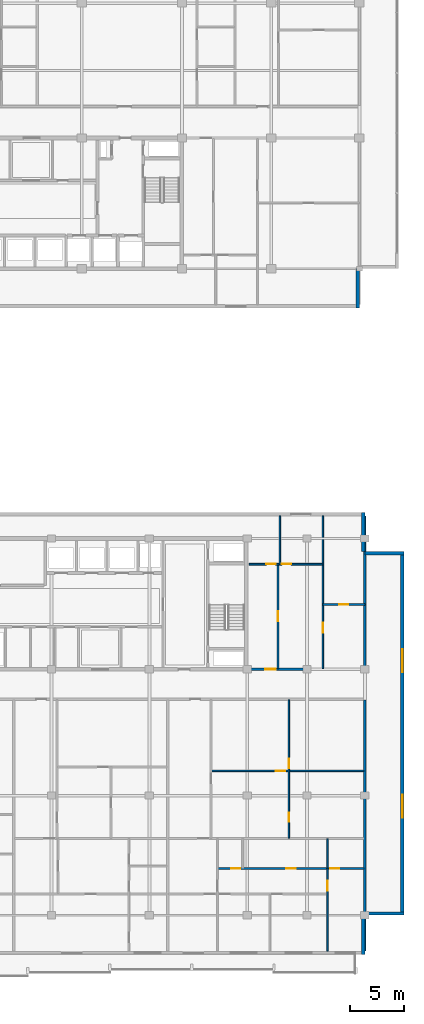
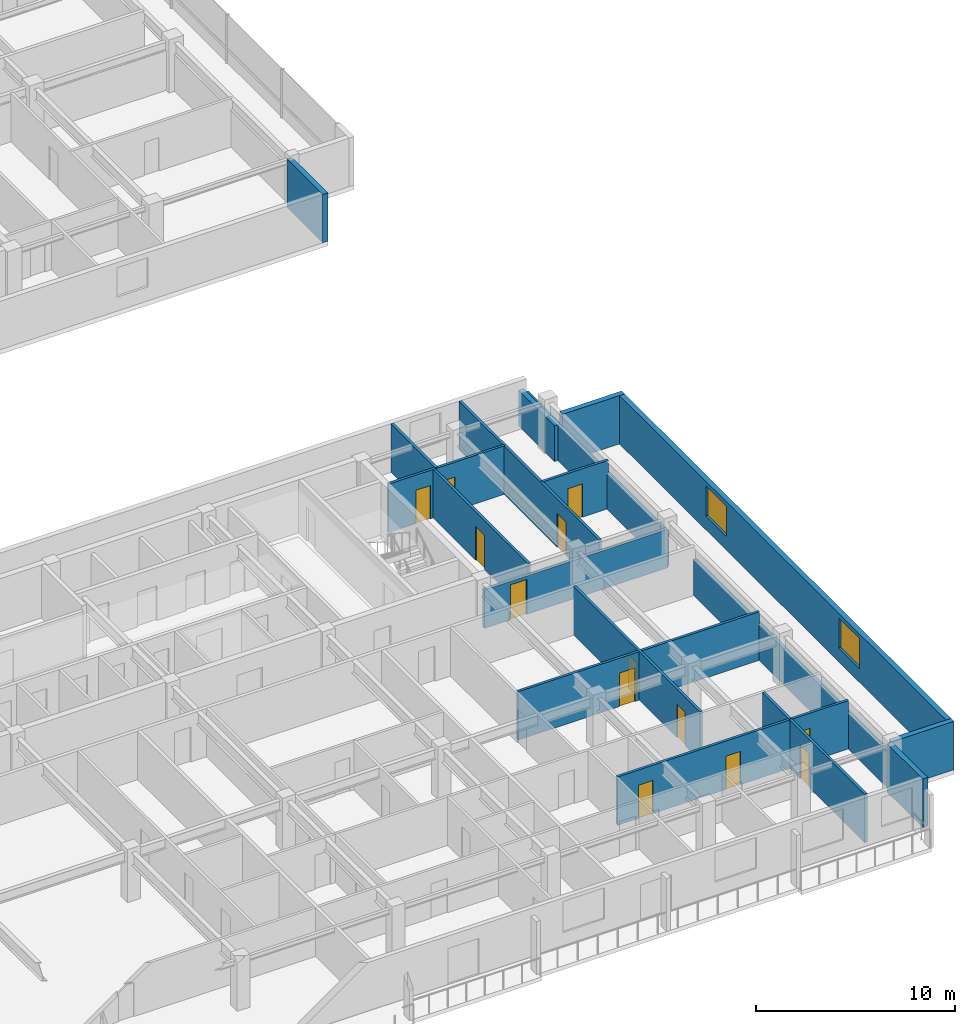
# One storey, part 21 of 32: 19 walls, 13 doors, 2 windows, 15 openings.
"""IFC4 building model written with IfcOpenShell, lengths in metres."""

from ifc_helpers import new_model, si_unit, direction, frame, frame_2d, origin, place, context, subcontext, project, spatial, rectangle, extrude, material, layer, layer_set, type_object, element, fill, save


model = new_model("IFC4")

# Units and contexts
model_context = context("Model", 3, precision=1e-05, world=origin(), true_north=direction((0.0, 1.0)))
body_context = subcontext(model_context, "Body", "Model", "MODEL_VIEW")
ifc_project = project(units=[si_unit("LENGTHUNIT", "METRE"), si_unit("AREAUNIT", "SQUARE_METRE"), si_unit("VOLUMEUNIT", "CUBIC_METRE"), si_unit("PLANEANGLEUNIT", "RADIAN"), si_unit("MASSUNIT", "GRAM", prefix="KILO")], contexts=[model_context])

# Site, building, storey
site_placement = place(None, origin())
site = spatial("IfcSite", under=ifc_project, at=site_placement, CompositionType="ELEMENT")
building_placement = place(site_placement, origin())
building = spatial("IfcBuilding", under=site, at=building_placement, Name="Korimba Cascade Residences", CompositionType="ELEMENT")
storey_placement = place(building_placement, frame((0.0, 0.0, 178.35009765625)))
storey = spatial("IfcBuildingStorey", under=building, at=storey_placement, Name="L51", CompositionType="ELEMENT", Elevation=178.35009765625)

# Walls
ifc_material_1 = material(Name="Precast concrete C40/50", Category="concrete")
ifc_layer_1 = layer(ifc_material_1, 0.300048828125)
ifc_layer_set_1 = layer_set([ifc_layer_1], Name="Precast concrete C40/50")
wall_type_1 = type_object("IfcWallType", Name="EW-STONE-300", PredefinedType="STANDARD", material=ifc_layer_set_1)
wall_1_placement = place(storey_placement, frame((128.25, 51.60009765625, 0.0), z_axis=(0.0, 0.0, 1.0), x_axis=(0.0, 1.0, 0.0)))
element("IfcWall", 1, at=wall_1_placement, inside=storey, type_object=wall_type_1, Name="L51 T1 Perimeter Stone Wall E01", PredefinedType="STANDARD", context=body_context, shape_type="SweptSolid", body=[
    extrude(rectangle(XDim=3.599853515625, YDim=0.300048828125, at=frame_2d((1.7998046875, 0.0))), origin(), (0.0, 0.0, 1.0), 2.969970703125),
])
for number, where, z_axis, x_axis, name in (
    (2, (128.75, -7.800048828125, 0.0), (0.0, 0.0, 1.0), (0.0, 1.0, 0.0), "L51 T2 Perimeter Stone Wall E01"),
    (3, (128.89990234375, -4.050048828125, 0.0), (0.0, 0.0, 1.0), (1.0, 0.0, 0.0), "L51 T2 Perimeter Stone Wall E02"),
):
    element("IfcWall", number, at=place(storey_placement, frame(where, z_axis=z_axis, x_axis=x_axis)), inside=storey, type_object=wall_type_1, Name=name, PredefinedType="STANDARD", context=body_context, shape_type="SweptSolid", body=[
        extrude(rectangle(XDim=3.60009765625, YDim=0.300048828125, at=frame_2d((1.800048828125, 0.0))), origin(), (0.0, 0.0, 1.0), 2.969970703125),
    ])

# Wall, openings, windows
wall_2_placement = place(storey_placement, frame((132.35009765625, -4.199951171875, 0.0), z_axis=(0.0, 0.0, 1.0), x_axis=(0.0, 1.0, 0.0)))
wall_2 = element("IfcWall", 4, at=wall_2_placement, inside=storey, type_object=wall_type_1, Name="L51 T2 Perimeter Stone Wall E03", PredefinedType="STANDARD", context=body_context, shape_type="SweptSolid", body=[
    extrude(rectangle(XDim=33.39990234375, YDim=0.300048828125, at=frame_2d((16.699951171875, 0.0))), origin(), (0.0, 0.0, 1.0), 2.969970703125),
])
opening_1_placement = place(wall_2_placement, frame((8.969970703125, 0.0, 0.85009765625)))
opening_1 = element("IfcOpeningElement", 5, at=opening_1_placement, cuts=wall_2, Name="Opening W-03", PredefinedType="OPENING", context=body_context, shape_type="SweptSolid", body=[
    extrude(rectangle(XDim=2.10009765625, YDim=1.85009765625, at=frame_2d((1.050048828125, 0.925048828125))), frame((0.0, 0.16015625, 0.0), z_axis=(0.0, -1.0, 0.0), x_axis=(1.0, 0.0, 0.0)), (0.0, 0.0, 1.0), 0.320068359375),
])
opening_2_placement = place(wall_2_placement, frame((22.330078125, 0.0, 0.85009765625)))
opening_2 = element("IfcOpeningElement", 6, at=opening_2_placement, cuts=wall_2, Name="Opening W-03", PredefinedType="OPENING", context=body_context, shape_type="SweptSolid", body=[
    extrude(rectangle(XDim=2.10009765625, YDim=1.85009765625, at=frame_2d((1.050048828125, 0.925048828125))), frame((0.0, 0.16015625, 0.0), z_axis=(0.0, -1.0, 0.0), x_axis=(1.0, 0.0, 0.0)), (0.0, 0.0, 1.0), 0.320068359375),
])
ifc_material_2 = material(Name="Double-Glazed Aluminium Window", Category="aluminium")
window_type = type_object("IfcWindowType", Name="WIN-CRN-2100", PartitioningType="DOUBLE_PANEL_HORIZONTAL", PredefinedType="WINDOW", material=ifc_material_2)
window_1_placement = place(opening_1_placement, origin())
window_1 = element("IfcWindow", 7, at=window_1_placement, inside=storey, type_object=window_type, Name="L51 T2 End View Window 3.1", OverallHeight=1.85009765625, OverallWidth=2.10009765625, PartitioningType="DOUBLE_PANEL_HORIZONTAL", PredefinedType="WINDOW", context=body_context, shape_type="SweptSolid", body=[
    extrude(rectangle(XDim=2.10009765625, YDim=1.85009765625, at=frame_2d((1.050048828125, 0.925048828125))), frame((0.0, 0.030029296875, 0.0), z_axis=(0.0, -1.0, 0.0), x_axis=(1.0, 0.0, 0.0)), (0.0, 0.0, 1.0), 0.06005859375),
])
fill(opening_1, window_1)
window_2_placement = place(opening_2_placement, origin())
window_2 = element("IfcWindow", 8, at=window_2_placement, inside=storey, type_object=window_type, Name="L51 T2 End View Window 3.2", OverallHeight=1.85009765625, OverallWidth=2.10009765625, PartitioningType="DOUBLE_PANEL_HORIZONTAL", PredefinedType="WINDOW", context=body_context, shape_type="SweptSolid", body=[
    extrude(rectangle(XDim=2.10009765625, YDim=1.85009765625, at=frame_2d((1.050048828125, 0.925048828125))), frame((0.0, 0.030029296875, 0.0), z_axis=(0.0, -1.0, 0.0), x_axis=(1.0, 0.0, 0.0)), (0.0, 0.0, 1.0), 0.06005859375),
])
fill(opening_2, window_2)

# Walls
wall_3_placement = place(storey_placement, frame((132.5, 29.050048828125, 0.0), z_axis=(0.0, 0.0, 1.0), x_axis=(-1.0, 0.0, 0.0)))
element("IfcWall", 9, at=wall_3_placement, inside=storey, type_object=wall_type_1, Name="L51 T2 Perimeter Stone Wall E04", PredefinedType="STANDARD", context=body_context, shape_type="SweptSolid", body=[
    extrude(rectangle(XDim=3.60009765625, YDim=0.300048828125, at=frame_2d((1.800048828125, 0.0))), origin(), (0.0, 0.0, 1.0), 2.969970703125),
])
wall_4_placement = place(storey_placement, frame((128.75, 29.199951171875, 0.0), z_axis=(0.0, 0.0, 1.0), x_axis=(0.0, 1.0, 0.0)))
element("IfcWall", 10, at=wall_4_placement, inside=storey, type_object=wall_type_1, Name="L51 T2 Perimeter Stone Wall E05", PredefinedType="STANDARD", context=body_context, shape_type="SweptSolid", body=[
    extrude(rectangle(XDim=3.60009765625, YDim=0.300048828125, at=frame_2d((1.800048828125, 0.0))), origin(), (0.0, 0.0, 1.0), 2.2001953125),
])
ifc_layer_2 = layer(ifc_material_1, 0.199951171875)
ifc_layer_set_2 = layer_set([ifc_layer_2], Name="Precast concrete C40/50")
wall_type_2 = type_object("IfcWallType", Name="WAL-IT-200", PredefinedType="PARTITIONING", material=ifc_layer_set_2)
wall_5_placement = place(storey_placement, frame((128.89990234375, 18.39990234375, 0.0), z_axis=(0.0, 0.0, 1.0), x_axis=(0.0, 1.0, 0.0)))
element("IfcWall", 11, at=wall_5_placement, inside=storey, type_object=wall_type_2, Name="L51 Partition Wall WAL-L51-T2-FE-WR", PredefinedType="PARTITIONING", context=body_context, shape_type="SweptSolid", body=[
    extrude(rectangle(XDim=14.10009765625, YDim=0.199951171875, at=frame_2d((7.050048828125, 0.0))), origin(), (0.0, 0.0, 1.0), 2.2001953125),
])

# Wall, opening, door
wall_6_placement = place(storey_placement, frame((118.25, 18.39990234375, 0.0), z_axis=(0.0, 0.0, 1.0), x_axis=(1.0, 0.0, 0.0)))
wall_6 = element("IfcWall", 12, at=wall_6_placement, inside=storey, type_object=wall_type_2, Name="L51 Partition Wall WAL-L51-T2-FE-S", PredefinedType="PARTITIONING", context=body_context, shape_type="SweptSolid", body=[
    extrude(rectangle(XDim=10.64990234375, YDim=0.199951171875, at=frame_2d((5.324951171875, 0.0))), origin(), (0.0, 0.0, 1.0), 2.357666015625),
])
opening_3_placement = place(wall_6_placement, frame((1.510009765625, 0.0, 0.0)))
opening_3 = element("IfcOpeningElement", 13, at=opening_3_placement, cuts=wall_6, Name="Opening D-UN1", PredefinedType="OPENING", context=body_context, shape_type="SweptSolid", body=[
    extrude(rectangle(XDim=0.949951171875, YDim=2.14990234375, at=frame_2d((0.47509765625, 1.074951171875))), frame((0.0, 0.10986328125, 0.0), z_axis=(0.0, -1.0, 0.0), x_axis=(1.0, 0.0, 0.0)), (0.0, 0.0, 1.0), 0.219970703125),
])
ifc_material_3 = material(Name="Fire-Rated Hardwood Apartment Entrance Door", Category="wood")
door_type_1 = type_object("IfcDoorType", Name="DR-FD60-950", OperationType="NOTDEFINED", PredefinedType="DOOR", material=ifc_material_3)
door_1_placement = place(opening_3_placement, origin())
door_1 = element("IfcDoor", 14, at=door_1_placement, inside=storey, type_object=door_type_1, Name="L51-T2-FE Entrance Door", OperationType="SINGLE_SWING_RIGHT", OverallHeight=2.14990234375, OverallWidth=0.949951171875, PredefinedType="DOOR", context=body_context, shape_type="SweptSolid", body=[
    extrude(rectangle(XDim=0.949951171875, YDim=2.14990234375, at=frame_2d((0.47509765625, 1.074951171875))), frame((0.0, 0.02490234375, 0.0), z_axis=(0.0, -1.0, 0.0), x_axis=(1.0, 0.0, 0.0)), (0.0, 0.0, 1.0), 0.050048828125),
])
fill(opening_3, door_1)

# Wall
wall_7_placement = place(storey_placement, frame((128.89990234375, -7.5, 0.0), z_axis=(0.0, 0.0, 1.0), x_axis=(0.0, 1.0, 0.0)))
element("IfcWall", 15, at=wall_7_placement, inside=storey, type_object=wall_type_2, Name="L51 Partition Wall WAL-L51-T2-BNDWR", PredefinedType="PARTITIONING", context=body_context, shape_type="SweptSolid", body=[
    extrude(rectangle(XDim=23.070068359375, YDim=0.199951171875, at=frame_2d((11.53515625, 0.0))), origin(), (0.0, 0.0, 1.0), 2.2001953125),
])

# Wall, opening, door
ifc_material_4 = material(Name="Insulated Acoustic Stud Partition", Category="gypsum")
ifc_layer_3 = layer(ifc_material_4, 0.14990234375)
ifc_layer_set_3 = layer_set([ifc_layer_3], Name="Insulated Acoustic Stud Partition")
wall_type_3 = type_object("IfcWallType", Name="WAL-PART-150", PredefinedType="PARTITIONING", material=ifc_layer_set_3)
wall_8_placement = place(storey_placement, frame((125.050048828125, 24.35009765625, 0.0), z_axis=(0.0, 0.0, 1.0), x_axis=(1.0, 0.0, 0.0)))
wall_8 = element("IfcWall", 16, at=wall_8_placement, inside=storey, type_object=wall_type_3, Name="L51 Partition Wall WAL-L51-T2-FE-STH", PredefinedType="PARTITIONING", context=body_context, shape_type="SweptSolid", body=[
    extrude(rectangle(XDim=3.849853515625, YDim=0.14990234375, at=frame_2d((1.9248046875, 0.0))), origin(), (0.0, 0.0, 1.0), 2.969970703125),
])
opening_4_placement = place(wall_8_placement, frame((1.5048828125, 0.0, 0.0)))
opening_4 = element("IfcOpeningElement", 17, at=opening_4_placement, cuts=wall_8, Name="Opening D-BT1", PredefinedType="OPENING", context=body_context, shape_type="SweptSolid", body=[
    extrude(rectangle(XDim=0.840087890625, YDim=2.0400390625, at=frame_2d((0.419921875, 1.02001953125))), frame((0.0, 0.0849609375, 0.0), z_axis=(0.0, -1.0, 0.0), x_axis=(1.0, 0.0, 0.0)), (0.0, 0.0, 1.0), 0.169921875),
])
ifc_material_5 = material(Name="Moisture-Resistant Bathroom Timber Door", Category="wood")
door_type_2 = type_object("IfcDoorType", Name="DR-INT-850", OperationType="NOTDEFINED", PredefinedType="DOOR", material=ifc_material_5)
door_2_placement = place(opening_4_placement, origin())
door_2 = element("IfcDoor", 18, at=door_2_placement, inside=storey, type_object=door_type_2, Name="L51-T2-FE Dressing Store Door", OperationType="SINGLE_SWING_LEFT", OverallHeight=2.0400390625, OverallWidth=0.840087890625, PredefinedType="DOOR", context=body_context, shape_type="SweptSolid", body=[
    extrude(rectangle(XDim=0.840087890625, YDim=2.0400390625, at=frame_2d((0.419921875, 1.02001953125))), frame((0.0, 0.02490234375, 0.0), z_axis=(0.0, -1.0, 0.0), x_axis=(1.0, 0.0, 0.0)), (0.0, 0.0, 1.0), 0.050048828125),
])
fill(opening_4, door_2)

wall_9_placement = place(storey_placement, frame((125.050048828125, 18.449951171875, 0.0), z_axis=(0.0, 0.0, 1.0), x_axis=(0.0, 1.0, 0.0)))
wall_9 = element("IfcWall", 19, at=wall_9_placement, inside=storey, type_object=wall_type_3, Name="L51 Partition Wall WAL-L51-T2-FE-STV", PredefinedType="PARTITIONING", context=body_context, shape_type="SweptSolid", body=[
    extrude(rectangle(XDim=14.050048828125, YDim=0.14990234375, at=frame_2d((7.02490234375, 0.0))), origin(), (0.0, 0.0, 1.0), 2.969970703125),
])
opening_5_placement = place(wall_9_placement, frame((3.320068359375, 0.0, 0.0)))
opening_5 = element("IfcOpeningElement", 20, at=opening_5_placement, cuts=wall_9, Name="Opening D-IN2", PredefinedType="OPENING", context=body_context, shape_type="SweptSolid", body=[
    extrude(rectangle(XDim=0.8798828125, YDim=2.06005859375, at=frame_2d((0.43994140625, 1.030029296875))), frame((0.0, 0.0849609375, 0.0), z_axis=(0.0, -1.0, 0.0), x_axis=(1.0, 0.0, 0.0)), (0.0, 0.0, 1.0), 0.169921875),
])
ifc_material_6 = material(Name="Acoustic Timber Bedroom Door", Category="wood")
door_type_3 = type_object("IfcDoorType", Name="DR-INT-880", OperationType="NOTDEFINED", PredefinedType="DOOR", material=ifc_material_6)
door_3_placement = place(opening_5_placement, origin())
door_3 = element("IfcDoor", 21, at=door_3_placement, inside=storey, type_object=door_type_3, Name="L51-T2-FE Study Door", OperationType="SINGLE_SWING_RIGHT", OverallHeight=2.06005859375, OverallWidth=0.8798828125, PredefinedType="DOOR", context=body_context, shape_type="SweptSolid", body=[
    extrude(rectangle(XDim=0.8798828125, YDim=2.06005859375, at=frame_2d((0.43994140625, 1.030029296875))), frame((0.0, 0.02490234375, 0.0), z_axis=(0.0, -1.0, 0.0), x_axis=(1.0, 0.0, 0.0)), (0.0, 0.0, 1.0), 0.050048828125),
])
fill(opening_5, door_3)

wall_10_placement = place(storey_placement, frame((120.929931640625, 18.449951171875, 0.0), z_axis=(0.0, 0.0, 1.0), x_axis=(0.0, 1.0, 0.0)))
wall_10 = element("IfcWall", 22, at=wall_10_placement, inside=storey, type_object=wall_type_3, Name="L51 Partition Wall WAL-L51-T2-FE-VS", PredefinedType="PARTITIONING", context=body_context, shape_type="SweptSolid", body=[
    extrude(rectangle(XDim=9.60009765625, YDim=0.14990234375, at=frame_2d((4.800048828125, 0.0))), origin(), (0.0, 0.0, 1.0), 2.969970703125),
])
opening_6_placement = place(wall_10_placement, frame((4.340087890625, 0.0, 0.0)))
opening_6 = element("IfcOpeningElement", 23, at=opening_6_placement, cuts=wall_10, Name="Opening D-IN1", PredefinedType="OPENING", context=body_context, shape_type="SweptSolid", body=[
    extrude(rectangle(XDim=0.919921875, YDim=2.080078125, at=frame_2d((0.4599609375, 1.0400390625))), frame((0.0, 0.0849609375, 0.0), z_axis=(0.0, -1.0, 0.0), x_axis=(1.0, 0.0, 0.0)), (0.0, 0.0, 1.0), 0.169921875),
])
ifc_material_7 = material(Name="Acoustic Timber Living Door", Category="wood")
door_type_4 = type_object("IfcDoorType", Name="DR-INT-920", OperationType="NOTDEFINED", PredefinedType="DOOR", material=ifc_material_7)
door_4_placement = place(opening_6_placement, origin())
door_4 = element("IfcDoor", 24, at=door_4_placement, inside=storey, type_object=door_type_4, Name="L51-T2-FE Living Door", OperationType="SINGLE_SWING_LEFT", OverallHeight=2.080078125, OverallWidth=0.919921875, PredefinedType="DOOR", context=body_context, shape_type="SweptSolid", body=[
    extrude(rectangle(XDim=0.919921875, YDim=2.080078125, at=frame_2d((0.4599609375, 1.0400390625))), frame((0.0, 0.02490234375, 0.0), z_axis=(0.0, -1.0, 0.0), x_axis=(1.0, 0.0, 0.0)), (0.0, 0.0, 1.0), 0.050048828125),
])
fill(opening_6, door_4)

# Wall
wall_11_placement = place(storey_placement, frame((121.10009765625, 28.050048828125, 0.0), z_axis=(0.0, 0.0, 1.0), x_axis=(0.0, 1.0, 0.0)))
element("IfcWall", 25, at=wall_11_placement, inside=storey, type_object=wall_type_3, Name="L51 Partition Wall WAL-L51-T2-FE-VN", PredefinedType="PARTITIONING", context=body_context, shape_type="SweptSolid", body=[
    extrude(rectangle(XDim=4.449951171875, YDim=0.14990234375, at=frame_2d((2.22509765625, 0.0))), origin(), (0.0, 0.0, 1.0), 2.969970703125),
])

# Wall, openings, doors
wall_12_placement = place(storey_placement, frame((118.27001953125, 28.050048828125, 0.0), z_axis=(0.0, 0.0, 1.0), x_axis=(1.0, 0.0, 0.0)))
wall_12 = element("IfcWall", 26, at=wall_12_placement, inside=storey, type_object=wall_type_3, Name="L51 Partition Wall WAL-L51-T2-FE-H", PredefinedType="PARTITIONING", context=body_context, shape_type="SweptSolid", body=[
    extrude(rectangle(XDim=6.760009765625, YDim=0.14990234375, at=frame_2d((3.3798828125, 0.0))), origin(), (0.0, 0.0, 1.0), 2.969970703125),
])
opening_7_placement = place(wall_12_placement, frame((1.58740234375, 0.0, 0.0)))
opening_7 = element("IfcOpeningElement", 27, at=opening_7_placement, cuts=wall_12, Name="Opening D-BT1", PredefinedType="OPENING", context=body_context, shape_type="SweptSolid", body=[
    extrude(rectangle(XDim=0.840087890625, YDim=2.0400390625, at=frame_2d((0.419921875, 1.02001953125))), frame((0.0, 0.0849609375, 0.0), z_axis=(0.0, -1.0, 0.0), x_axis=(1.0, 0.0, 0.0)), (0.0, 0.0, 1.0), 0.169921875),
])
opening_8_placement = place(wall_12_placement, frame((2.988037109375, 0.0, 0.0)))
opening_8 = element("IfcOpeningElement", 28, at=opening_8_placement, cuts=wall_12, Name="Opening D-IN2", PredefinedType="OPENING", context=body_context, shape_type="SweptSolid", body=[
    extrude(rectangle(XDim=0.8798828125, YDim=2.06005859375, at=frame_2d((0.43994140625, 1.030029296875))), frame((0.0, 0.0849609375, 0.0), z_axis=(0.0, -1.0, 0.0), x_axis=(1.0, 0.0, 0.0)), (0.0, 0.0, 1.0), 0.169921875),
])
door_5_placement = place(opening_7_placement, origin())
door_5 = element("IfcDoor", 29, at=door_5_placement, inside=storey, type_object=door_type_2, Name="L51-T2-FE Bathroom Door", OperationType="SINGLE_SWING_RIGHT", OverallHeight=2.0400390625, OverallWidth=0.840087890625, PredefinedType="DOOR", context=body_context, shape_type="SweptSolid", body=[
    extrude(rectangle(XDim=0.840087890625, YDim=2.0400390625, at=frame_2d((0.419921875, 1.02001953125))), frame((0.0, 0.02490234375, 0.0), z_axis=(0.0, -1.0, 0.0), x_axis=(1.0, 0.0, 0.0)), (0.0, 0.0, 1.0), 0.050048828125),
])
fill(opening_7, door_5)
door_6_placement = place(opening_8_placement, origin())
door_6 = element("IfcDoor", 30, at=door_6_placement, inside=storey, type_object=door_type_3, Name="L51-T2-FE Bedroom Door", OperationType="SINGLE_SWING_LEFT", OverallHeight=2.06005859375, OverallWidth=0.8798828125, PredefinedType="DOOR", context=body_context, shape_type="SweptSolid", body=[
    extrude(rectangle(XDim=0.8798828125, YDim=2.06005859375, at=frame_2d((0.43994140625, 1.030029296875))), frame((0.0, 0.02490234375, 0.0), z_axis=(0.0, -1.0, 0.0), x_axis=(1.0, 0.0, 0.0)), (0.0, 0.0, 1.0), 0.050048828125),
])
fill(opening_8, door_6)

wall_13_placement = place(storey_placement, frame((121.923095703125, 2.889892578125, 0.0), z_axis=(0.0, 0.0, 1.0), x_axis=(0.0, 1.0, 0.0)))
wall_13 = element("IfcWall", 31, at=wall_13_placement, inside=storey, type_object=wall_type_3, Name="L51 Partition Wall WAL-L51-T2-U03-FMV", PredefinedType="PARTITIONING", context=body_context, shape_type="SweptSolid", body=[
    extrude(rectangle(XDim=12.7001953125, YDim=0.14990234375, at=frame_2d((6.35009765625, 0.0))), origin(), (0.0, 0.0, 1.0), 2.969970703125),
])
opening_9_placement = place(wall_13_placement, frame((1.485107421875, 0.0, 0.0)))
opening_9 = element("IfcOpeningElement", 32, at=opening_9_placement, cuts=wall_13, Name="Opening D-BT1", PredefinedType="OPENING", context=body_context, shape_type="SweptSolid", body=[
    extrude(rectangle(XDim=0.840087890625, YDim=2.0400390625, at=frame_2d((0.419921875, 1.02001953125))), frame((0.0, 0.0849609375, 0.0), z_axis=(0.0, -1.0, 0.0), x_axis=(1.0, 0.0, 0.0)), (0.0, 0.0, 1.0), 0.169921875),
])
opening_10_placement = place(wall_13_placement, frame((6.419921875, 0.0, 0.0)))
opening_10 = element("IfcOpeningElement", 33, at=opening_10_placement, cuts=wall_13, Name="Opening D-IN2", PredefinedType="OPENING", context=body_context, shape_type="SweptSolid", body=[
    extrude(rectangle(XDim=0.8798828125, YDim=2.06005859375, at=frame_2d((0.43994140625, 1.030029296875))), frame((0.0, 0.0849609375, 0.0), z_axis=(0.0, -1.0, 0.0), x_axis=(1.0, 0.0, 0.0)), (0.0, 0.0, 1.0), 0.169921875),
])
door_7_placement = place(opening_9_placement, origin())
door_7 = element("IfcDoor", 34, at=door_7_placement, inside=storey, type_object=door_type_2, Name="L51-T2-U03 Wardrobe Door", OperationType="SINGLE_SWING_LEFT", OverallHeight=2.0400390625, OverallWidth=0.840087890625, PredefinedType="DOOR", context=body_context, shape_type="SweptSolid", body=[
    extrude(rectangle(XDim=0.840087890625, YDim=2.0400390625, at=frame_2d((0.419921875, 1.02001953125))), frame((0.0, 0.02490234375, 0.0), z_axis=(0.0, -1.0, 0.0), x_axis=(1.0, 0.0, 0.0)), (0.0, 0.0, 1.0), 0.050048828125),
])
fill(opening_9, door_7)
door_8_placement = place(opening_10_placement, origin())
door_8 = element("IfcDoor", 35, at=door_8_placement, inside=storey, type_object=door_type_3, Name="L51-T2-U03 Music Lounge Door", OperationType="SINGLE_SWING_RIGHT", OverallHeight=2.06005859375, OverallWidth=0.8798828125, PredefinedType="DOOR", context=body_context, shape_type="SweptSolid", body=[
    extrude(rectangle(XDim=0.8798828125, YDim=2.06005859375, at=frame_2d((0.43994140625, 1.030029296875))), frame((0.0, 0.02490234375, 0.0), z_axis=(0.0, -1.0, 0.0), x_axis=(1.0, 0.0, 0.0)), (0.0, 0.0, 1.0), 0.050048828125),
])
fill(opening_10, door_8)

# Wall, opening, door
wall_14_placement = place(storey_placement, frame((114.826416015625, 9.06005859375, 0.0), z_axis=(0.0, 0.0, 1.0), x_axis=(1.0, 0.0, 0.0)))
wall_14 = element("IfcWall", 36, at=wall_14_placement, inside=storey, type_object=wall_type_3, Name="L51 Partition Wall WAL-L51-T2-U03-FMH", PredefinedType="PARTITIONING", context=body_context, shape_type="SweptSolid", body=[
    extrude(rectangle(XDim=13.99365234375, YDim=0.14990234375, at=frame_2d((6.996826171875, 0.0))), origin(), (0.0, 0.0, 1.0), 2.969970703125),
])
opening_11_placement = place(wall_14_placement, frame((5.8837890625, 0.0, 0.0)))
opening_11 = element("IfcOpeningElement", 37, at=opening_11_placement, cuts=wall_14, Name="Opening D-IN2", PredefinedType="OPENING", context=body_context, shape_type="SweptSolid", body=[
    extrude(rectangle(XDim=0.8798828125, YDim=2.06005859375, at=frame_2d((0.43994140625, 1.030029296875))), frame((0.0, 0.0849609375, 0.0), z_axis=(0.0, -1.0, 0.0), x_axis=(1.0, 0.0, 0.0)), (0.0, 0.0, 1.0), 0.169921875),
])
door_9_placement = place(opening_11_placement, origin())
door_9 = element("IfcDoor", 38, at=door_9_placement, inside=storey, type_object=door_type_3, Name="L51-T2-U03 Library Salon Door", OperationType="SINGLE_SWING_LEFT", OverallHeight=2.06005859375, OverallWidth=0.8798828125, PredefinedType="DOOR", context=body_context, shape_type="SweptSolid", body=[
    extrude(rectangle(XDim=0.8798828125, YDim=2.06005859375, at=frame_2d((0.43994140625, 1.030029296875))), frame((0.0, 0.02490234375, 0.0), z_axis=(0.0, -1.0, 0.0), x_axis=(1.0, 0.0, 0.0)), (0.0, 0.0, 1.0), 0.050048828125),
])
fill(opening_11, door_9)

# Wall
wall_15_placement = place(storey_placement, frame((125.47998046875, 0.1201171875, 0.0), z_axis=(0.0, 0.0, 1.0), x_axis=(0.0, 1.0, 0.0)))
element("IfcWall", 39, at=wall_15_placement, inside=storey, type_object=wall_type_3, Name="L51 Partition Wall WAL-L51-T2-U03-VBATH", PredefinedType="PARTITIONING", context=body_context, shape_type="SweptSolid", body=[
    extrude(rectangle(XDim=2.68994140625, YDim=0.14990234375, at=frame_2d((1.344970703125, 0.0))), origin(), (0.0, 0.0, 1.0), 2.969970703125),
])

# Wall, opening, door
wall_16_placement = place(storey_placement, frame((125.47998046875, -7.5, 0.0), z_axis=(0.0, 0.0, 1.0), x_axis=(0.0, 1.0, 0.0)))
wall_16 = element("IfcWall", 40, at=wall_16_placement, inside=storey, type_object=wall_type_3, Name="L51 Partition Wall WAL-L51-T2-U03-V2FULL", PredefinedType="PARTITIONING", context=body_context, shape_type="SweptSolid", body=[
    extrude(rectangle(XDim=7.580078125, YDim=0.14990234375, at=frame_2d((3.7900390625, 0.0))), origin(), (0.0, 0.0, 1.0), 2.969970703125),
])
opening_12_placement = place(wall_16_placement, frame((5.570068359375, 0.0, 0.0)))
opening_12 = element("IfcOpeningElement", 41, at=opening_12_placement, cuts=wall_16, Name="Opening D-IN1", PredefinedType="OPENING", context=body_context, shape_type="SweptSolid", body=[
    extrude(rectangle(XDim=0.919921875, YDim=2.080078125, at=frame_2d((0.4599609375, 1.0400390625))), frame((0.0, 0.0849609375, 0.0), z_axis=(0.0, -1.0, 0.0), x_axis=(1.0, 0.0, 0.0)), (0.0, 0.0, 1.0), 0.169921875),
])
door_10_placement = place(opening_12_placement, origin())
door_10 = element("IfcDoor", 42, at=door_10_placement, inside=storey, type_object=door_type_4, Name="L51-T2-U03 Master Bedroom Door", OperationType="SINGLE_SWING_RIGHT", OverallHeight=2.080078125, OverallWidth=0.919921875, PredefinedType="DOOR", context=body_context, shape_type="SweptSolid", body=[
    extrude(rectangle(XDim=0.919921875, YDim=2.080078125, at=frame_2d((0.4599609375, 1.0400390625))), frame((0.0, 0.02490234375, 0.0), z_axis=(0.0, -1.0, 0.0), x_axis=(1.0, 0.0, 0.0)), (0.0, 0.0, 1.0), 0.050048828125),
])
fill(opening_12, door_10)

# Wall, openings, doors
wall_17_placement = place(storey_placement, frame((115.41650390625, 0.10009765625, 0.0), z_axis=(0.0, 0.0, 1.0), x_axis=(1.0, 0.0, 0.0)))
wall_17 = element("IfcWall", 43, at=wall_17_placement, inside=storey, type_object=wall_type_3, Name="L51 Partition Wall WAL-L51-T2-U03-HWALL", PredefinedType="PARTITIONING", context=body_context, shape_type="SweptSolid", body=[
    extrude(rectangle(XDim=13.403564453125, YDim=0.14990234375, at=frame_2d((6.70166015625, 0.0))), origin(), (0.0, 0.0, 1.0), 2.969970703125),
])
opening_13_placement = place(wall_17_placement, frame((1.2099609375, 0.0, 0.0)))
opening_13 = element("IfcOpeningElement", 44, at=opening_13_placement, cuts=wall_17, Name="Opening D-BT1", PredefinedType="OPENING", context=body_context, shape_type="SweptSolid", body=[
    extrude(rectangle(XDim=0.840087890625, YDim=2.0400390625, at=frame_2d((0.419921875, 1.02001953125))), frame((0.0, 0.0849609375, 0.0), z_axis=(0.0, -1.0, 0.0), x_axis=(1.0, 0.0, 0.0)), (0.0, 0.0, 1.0), 0.169921875),
])
opening_14_placement = place(wall_17_placement, frame((6.28173828125, 0.0, 0.0)))
opening_14 = element("IfcOpeningElement", 45, at=opening_14_placement, cuts=wall_17, Name="Opening D-BT1", PredefinedType="OPENING", context=body_context, shape_type="SweptSolid", body=[
    extrude(rectangle(XDim=0.840087890625, YDim=2.0400390625, at=frame_2d((0.419921875, 1.02001953125))), frame((0.0, 0.0849609375, 0.0), z_axis=(0.0, -1.0, 0.0), x_axis=(1.0, 0.0, 0.0)), (0.0, 0.0, 1.0), 0.169921875),
])
opening_15_placement = place(wall_17_placement, frame((10.313720703125, 0.0, 0.0)))
opening_15 = element("IfcOpeningElement", 46, at=opening_15_placement, cuts=wall_17, Name="Opening D-BT1", PredefinedType="OPENING", context=body_context, shape_type="SweptSolid", body=[
    extrude(rectangle(XDim=0.840087890625, YDim=2.0400390625, at=frame_2d((0.419921875, 1.02001953125))), frame((0.0, 0.0849609375, 0.0), z_axis=(0.0, -1.0, 0.0), x_axis=(1.0, 0.0, 0.0)), (0.0, 0.0, 1.0), 0.169921875),
])
door_11_placement = place(opening_13_placement, origin())
door_11 = element("IfcDoor", 47, at=door_11_placement, inside=storey, type_object=door_type_2, Name="L51-T2-U03 Family Bathroom Door", OperationType="SINGLE_SWING_LEFT", OverallHeight=2.0400390625, OverallWidth=0.840087890625, PredefinedType="DOOR", context=body_context, shape_type="SweptSolid", body=[
    extrude(rectangle(XDim=0.840087890625, YDim=2.0400390625, at=frame_2d((0.419921875, 1.02001953125))), frame((0.0, 0.02490234375, 0.0), z_axis=(0.0, -1.0, 0.0), x_axis=(1.0, 0.0, 0.0)), (0.0, 0.0, 1.0), 0.050048828125),
])
fill(opening_13, door_11)
door_12_placement = place(opening_14_placement, origin())
door_12 = element("IfcDoor", 48, at=door_12_placement, inside=storey, type_object=door_type_2, Name="L51-T2-U03 Dressing Room Door", OperationType="SINGLE_SWING_RIGHT", OverallHeight=2.0400390625, OverallWidth=0.840087890625, PredefinedType="DOOR", context=body_context, shape_type="SweptSolid", body=[
    extrude(rectangle(XDim=0.840087890625, YDim=2.0400390625, at=frame_2d((0.419921875, 1.02001953125))), frame((0.0, 0.02490234375, 0.0), z_axis=(0.0, -1.0, 0.0), x_axis=(1.0, 0.0, 0.0)), (0.0, 0.0, 1.0), 0.050048828125),
])
fill(opening_14, door_12)
door_13_placement = place(opening_15_placement, origin())
door_13 = element("IfcDoor", 49, at=door_13_placement, inside=storey, type_object=door_type_2, Name="L51-T2-U03 En-Suite Door", OperationType="SINGLE_SWING_LEFT", OverallHeight=2.0400390625, OverallWidth=0.840087890625, PredefinedType="DOOR", context=body_context, shape_type="SweptSolid", body=[
    extrude(rectangle(XDim=0.840087890625, YDim=2.0400390625, at=frame_2d((0.419921875, 1.02001953125))), frame((0.0, 0.02490234375, 0.0), z_axis=(0.0, -1.0, 0.0), x_axis=(1.0, 0.0, 0.0)), (0.0, 0.0, 1.0), 0.050048828125),
])
fill(opening_15, door_13)

save(model, "model.ifc")
